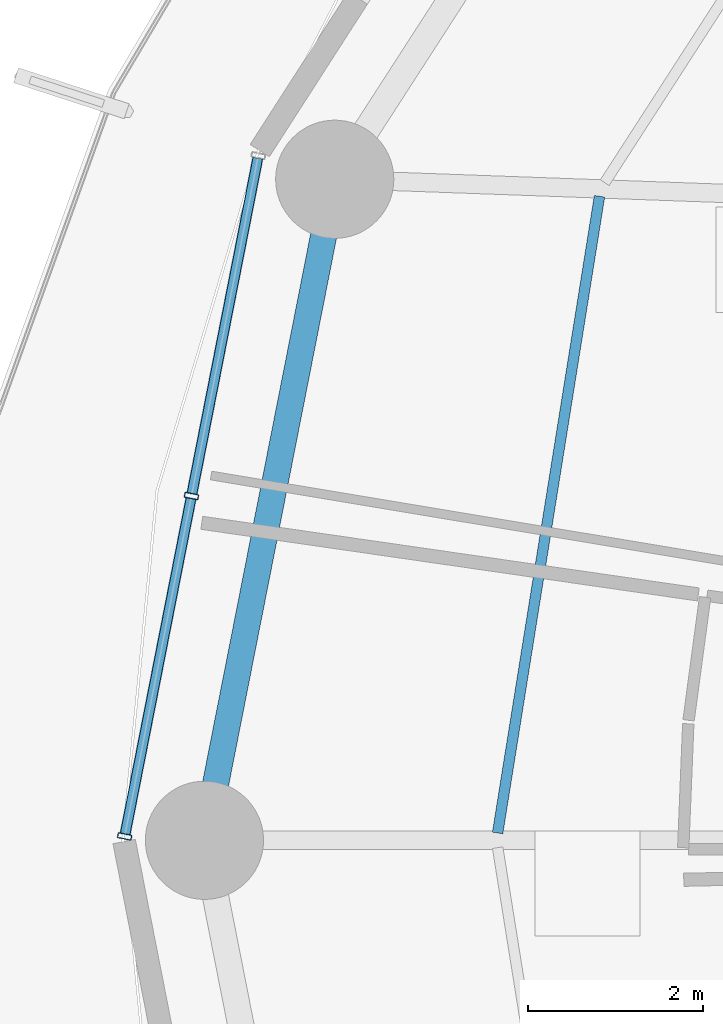
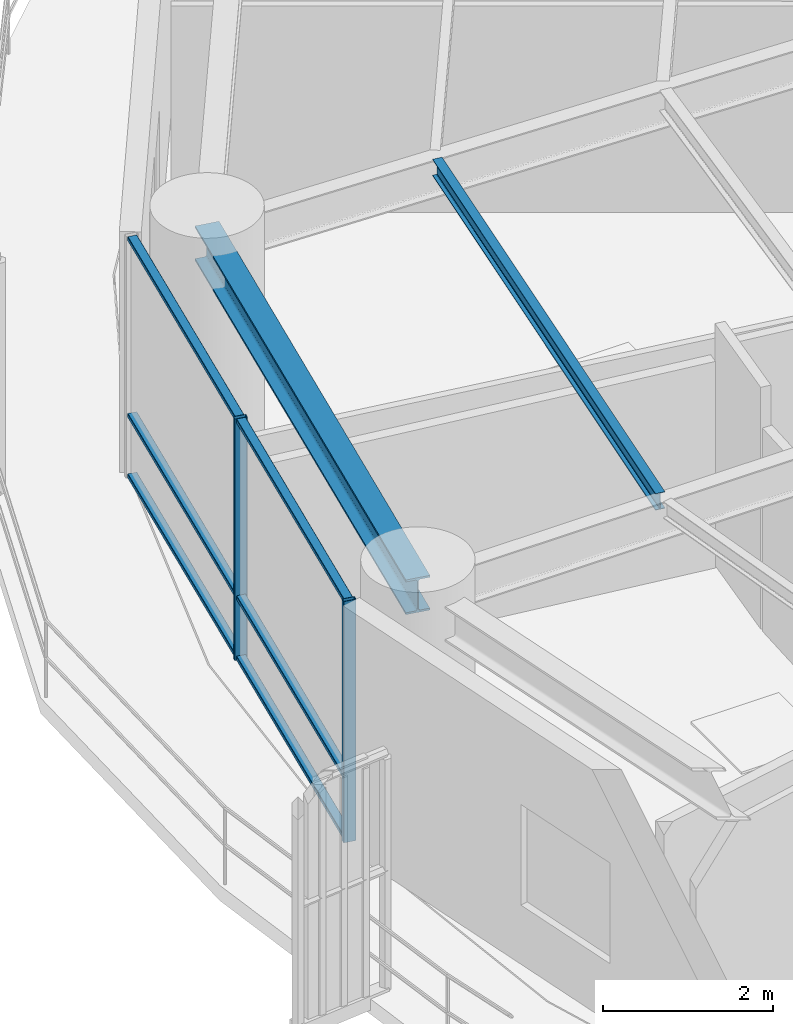
# One storey, part 8 of 35: 8 members, 2 beams, 1 element without a shape of its own.
"""IFC4 building model written with IfcOpenShell, lengths in metres."""

from ifc_helpers import new_model, si_unit, direction, frame, origin, origin_2d, place, context, subcontext, project, spatial, hollow_rectangle, i_section, extrude, material, layer, layer_set, material_profile, profile_set, type_object, element, aggregate, save


model = new_model("IFC4")

# Units and contexts
model_context = context("Model", 3, precision=1e-05, world=origin(), true_north=direction((0.0, 1.0)))
body_context = subcontext(model_context, "Body", "Model", "MODEL_VIEW")
ifc_project = project(units=[si_unit("LENGTHUNIT", "METRE"), si_unit("AREAUNIT", "SQUARE_METRE"), si_unit("VOLUMEUNIT", "CUBIC_METRE"), si_unit("PLANEANGLEUNIT", "RADIAN"), si_unit("MASSUNIT", "GRAM", prefix="KILO")], contexts=[model_context])

# Site, building, storey
site_placement = place(None, origin())
site = spatial("IfcSite", under=ifc_project, at=site_placement, CompositionType="ELEMENT")
building_placement = place(site_placement, origin())
building = spatial("IfcBuilding", under=site, at=building_placement, Name="Kelanora Arch Commons", CompositionType="ELEMENT")
storey_placement = place(building_placement, frame((0.0, 0.0, 87.60009765625)))
storey = spatial("IfcBuildingStorey", under=building, at=storey_placement, Name="L22", CompositionType="ELEMENT", Elevation=87.60009765625)

# Beams
ifc_material_1 = material(Name="Steel S355", Category="steel")
ifc_material_profile_1 = material_profile(ifc_material_1, i_section(OverallWidth=0.1201171875, OverallDepth=0.239990234375, WebThickness=0.006103515625, FlangeThickness=0.009765625, FilletRadius=0.014892578125, at=origin_2d()), Name="IPE240")
ifc_profile_set_1 = profile_set([ifc_material_profile_1], Name="Steel S355")
beam_type_1 = type_object("IfcBeamType", Name="BM-JST-02", PredefinedType="JOIST", material=ifc_profile_set_1)
beam_1_placement = place(storey_placement, frame((53.833251953125, 65.357421875, 3.369873046875), z_axis=(-0.157999549894, -0.987439184068, 0.0), x_axis=(0.987439184068, -0.157999549894, 0.0)))
element("IfcBeam", 1, at=beam_1_placement, inside=storey, type_object=beam_type_1, Name="Secondary Chord Joist BJC-16 L22", PredefinedType="JOIST", context=body_context, shape_type="SweptSolid", body=[
    extrude(i_section(OverallWidth=0.1201171875, OverallDepth=0.239990234375, WebThickness=0.006103515625, FlangeThickness=0.009765625, FilletRadius=0.014892578125, at=origin_2d()), origin(), (0.0, 0.0, 1.0), 7.365966796875),
])
ifc_material_profile_2 = material_profile(ifc_material_1, i_section(OverallWidth=0.300048828125, OverallDepth=0.5, WebThickness=0.014404296875, FlangeThickness=0.028076171875, FilletRadius=0.027099609375, at=origin_2d()), Name="HEB500")
ifc_profile_set_2 = profile_set([ifc_material_profile_2], Name="Steel S355")
beam_type_2 = type_object("IfcBeamType", Name="BM-SPN-Z2", PredefinedType="SPANDREL", material=ifc_profile_set_2)
beam_2_placement = place(storey_placement, frame((50.808349609375, 65.5517578125, 3.239990234375), z_axis=(-0.19335825777, -0.981128220037, 0.0), x_axis=(0.981128220037, -0.19335825777, 0.0)))
element("IfcBeam", 2, at=beam_2_placement, inside=storey, type_object=beam_type_2, Name="Perimeter Spandrel Beam BS-16 L22", PredefinedType="SPANDREL", context=body_context, shape_type="SweptSolid", body=[
    extrude(i_section(OverallWidth=0.300048828125, OverallDepth=0.5, WebThickness=0.014404296875, FlangeThickness=0.028076171875, FilletRadius=0.027099609375, at=origin_2d()), origin(), (0.0, 0.0, 1.0), 7.697021484375),
])

# Curtain wall, members
ifc_material_2 = material(Name="Terracotta ceramic-fritted low-E glass and aluminium", Category="masonry")
ifc_layer = layer(ifc_material_2, 0.159912109375)
ifc_layer_set = layer_set([ifc_layer], Name="Terracotta ceramic-fritted low-E glass and aluminium")
curtain_wall_type = type_object("IfcCurtainWallType", Name="CW-SYS-01", PredefinedType="NOTDEFINED", material=ifc_layer_set)
curtain_wall_placement = place(storey_placement, origin())
curtain_wall = element("IfcCurtainWall", 3, at=curtain_wall_placement, inside=storey, type_object=curtain_wall_type, Name="Unitised Curtain Wall L22-B08", PredefinedType="NOTDEFINED")
ifc_material_3 = material(Name="Powder-coated aluminium terracotta", Category="masonry")
ifc_material_profile_3 = material_profile(ifc_material_3, hollow_rectangle(XDim=0.159912109375, YDim=0.06005859375, WallThickness=0.0048828125, InnerFilletRadius=0.0048828125, OuterFilletRadius=0.010009765625, at=origin_2d()), Name="CWM160x60")
ifc_profile_set_3 = profile_set([ifc_material_profile_3], Name="Powder-coated aluminium terracotta")
member_type_1 = type_object("IfcMemberType", Name="CWM-STD", PredefinedType="MULLION", material=ifc_profile_set_3)
member_1_placement = place(storey_placement, frame((49.171875, 61.933349609375, 0.0), z_axis=(0.0, 0.0, 1.0), x_axis=(0.981280311646, -0.192584916272, 0.0)))
member_1 = element("IfcMember", 4, at=member_1_placement, type_object=member_type_1, Name="CW-01 mullion 2", PredefinedType="MULLION", context=body_context, shape_type="SweptSolid", body=[
    extrude(hollow_rectangle(XDim=0.159912109375, YDim=0.06005859375, WallThickness=0.0048828125, InnerFilletRadius=0.0048828125, OuterFilletRadius=0.010009765625, at=origin_2d()), origin(), (0.0, 0.0, 1.0), 3.474853515625),
])
member_2_placement = place(storey_placement, frame((48.40869140625, 58.044189453125, 0.0), z_axis=(0.0, 0.0, 1.0), x_axis=(0.981280311646, -0.192584916272, 0.0)))
member_2 = element("IfcMember", 5, at=member_2_placement, type_object=member_type_1, Name="CW-01 mullion 3", PredefinedType="MULLION", context=body_context, shape_type="SweptSolid", body=[
    extrude(hollow_rectangle(XDim=0.159912109375, YDim=0.06005859375, WallThickness=0.0048828125, InnerFilletRadius=0.0048828125, OuterFilletRadius=0.010009765625, at=origin_2d()), origin(), (0.0, 0.0, 1.0), 3.474853515625),
])
ifc_material_profile_4 = material_profile(ifc_material_3, hollow_rectangle(XDim=0.1201171875, YDim=0.06005859375, WallThickness=0.0048828125, InnerFilletRadius=0.0048828125, OuterFilletRadius=0.010009765625, at=origin_2d()), Name="CWT120x60")
ifc_profile_set_4 = profile_set([ifc_material_profile_4], Name="Powder-coated aluminium terracotta")
member_type_2 = type_object("IfcMemberType", Name="CWT-STD", PredefinedType="USERDEFINED", material=ifc_profile_set_4)
member_3_placement = place(storey_placement, frame((49.929443359375, 65.79296875, 0.02978515625), z_axis=(-0.192578614785, -0.981281548348, 0.0), x_axis=(0.981281548348, -0.192578614785, 0.0)))
member_3 = element("IfcMember", 6, at=member_3_placement, type_object=member_type_2, Name="CW-01 transom 1.1", ObjectType="TRANSOM", PredefinedType="USERDEFINED", context=body_context, shape_type="SweptSolid", body=[
    extrude(hollow_rectangle(XDim=0.1201171875, YDim=0.06005859375, WallThickness=0.0048828125, InnerFilletRadius=0.0048828125, OuterFilletRadius=0.010009765625, at=origin_2d()), origin(), (0.0, 0.0, 1.0), 3.9033203125),
])
member_4_placement = place(storey_placement, frame((49.929443359375, 65.79296875, 0.89990234375), z_axis=(-0.192578614785, -0.981281548348, 0.0), x_axis=(0.981281548348, -0.192578614785, 0.0)))
member_4 = element("IfcMember", 7, at=member_4_placement, type_object=member_type_2, Name="CW-01 transom 1.2", ObjectType="TRANSOM", PredefinedType="USERDEFINED", context=body_context, shape_type="SweptSolid", body=[
    extrude(hollow_rectangle(XDim=0.1201171875, YDim=0.06005859375, WallThickness=0.0048828125, InnerFilletRadius=0.0048828125, OuterFilletRadius=0.010009765625, at=origin_2d()), origin(), (0.0, 0.0, 1.0), 3.9033203125),
])
member_5_placement = place(storey_placement, frame((49.929443359375, 65.79296875, 3.44482421875), z_axis=(-0.192578614785, -0.981281548348, 0.0), x_axis=(0.981281548348, -0.192578614785, 0.0)))
member_5 = element("IfcMember", 8, at=member_5_placement, type_object=member_type_2, Name="CW-01 transom 1.3", ObjectType="TRANSOM", PredefinedType="USERDEFINED", context=body_context, shape_type="SweptSolid", body=[
    extrude(hollow_rectangle(XDim=0.1201171875, YDim=0.06005859375, WallThickness=0.0048828125, InnerFilletRadius=0.0048828125, OuterFilletRadius=0.010009765625, at=origin_2d()), origin(), (0.0, 0.0, 1.0), 3.9033203125),
])
member_6_placement = place(storey_placement, frame((49.166259765625, 61.90380859375, 0.02978515625), z_axis=(-0.192578614785, -0.981281548348, 0.0), x_axis=(0.981281548348, -0.192578614785, 0.0)))
member_6 = element("IfcMember", 9, at=member_6_placement, type_object=member_type_2, Name="CW-01 transom 2.1", ObjectType="TRANSOM", PredefinedType="USERDEFINED", context=body_context, shape_type="SweptSolid", body=[
    extrude(hollow_rectangle(XDim=0.1201171875, YDim=0.06005859375, WallThickness=0.0048828125, InnerFilletRadius=0.0048828125, OuterFilletRadius=0.010009765625, at=origin_2d()), origin(), (0.0, 0.0, 1.0), 3.9033203125),
])
member_7_placement = place(storey_placement, frame((49.166259765625, 61.90380859375, 0.89990234375), z_axis=(-0.192578614785, -0.981281548348, 0.0), x_axis=(0.981281548348, -0.192578614785, 0.0)))
member_7 = element("IfcMember", 10, at=member_7_placement, type_object=member_type_2, Name="CW-01 transom 2.2", ObjectType="TRANSOM", PredefinedType="USERDEFINED", context=body_context, shape_type="SweptSolid", body=[
    extrude(hollow_rectangle(XDim=0.1201171875, YDim=0.06005859375, WallThickness=0.0048828125, InnerFilletRadius=0.0048828125, OuterFilletRadius=0.010009765625, at=origin_2d()), origin(), (0.0, 0.0, 1.0), 3.9033203125),
])
member_8_placement = place(storey_placement, frame((49.166259765625, 61.90380859375, 3.44482421875), z_axis=(-0.192578614785, -0.981281548348, 0.0), x_axis=(0.981281548348, -0.192578614785, 0.0)))
member_8 = element("IfcMember", 11, at=member_8_placement, type_object=member_type_2, Name="CW-01 transom 2.3", ObjectType="TRANSOM", PredefinedType="USERDEFINED", context=body_context, shape_type="SweptSolid", body=[
    extrude(hollow_rectangle(XDim=0.1201171875, YDim=0.06005859375, WallThickness=0.0048828125, InnerFilletRadius=0.0048828125, OuterFilletRadius=0.010009765625, at=origin_2d()), origin(), (0.0, 0.0, 1.0), 3.9033203125),
])
aggregate(curtain_wall, [member_1, member_2, member_3, member_4, member_5, member_6, member_7, member_8])

save(model, "model.ifc")
